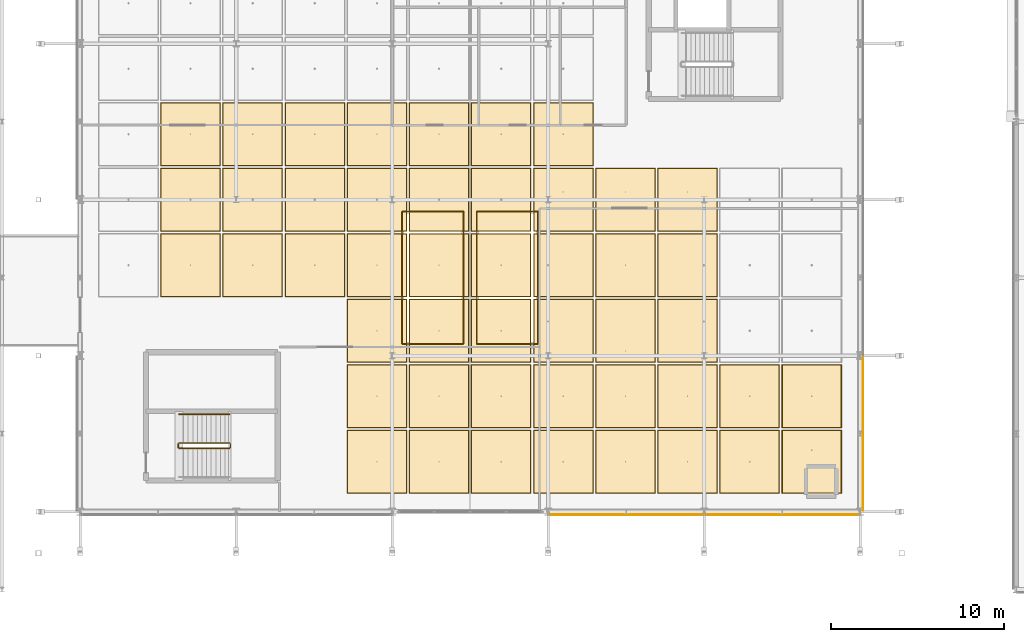
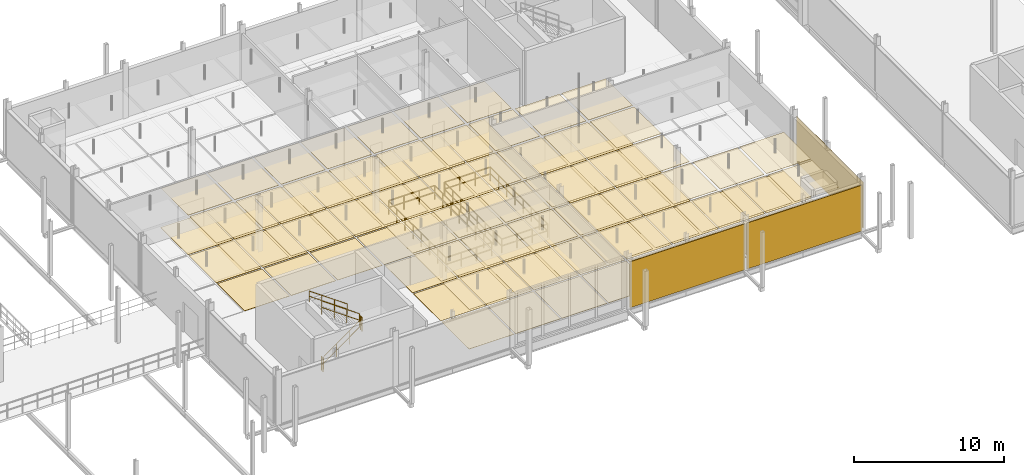
# One storey, part 119 of 130: 97 coverings, 7 railings.
"""IFC4 building model written with IfcOpenShell, lengths in metres."""

import ifcopenshell
import ifcopenshell.guid

model = None  # the IFC model being written
_history = None  # IfcOwnerHistory: only IFC2X3 demands one
_inside = {}  # id of a spatial element -> (the spatial element, [elements in it])
_under = {}  # id of a project, library or spatial element -> (it, [spatial elements below it])
_declared = {}  # id of a project -> (the project, [libraries it declares])
_typed = {}  # id of a type object -> (the type object, [elements of that type])
_made_of = {}  # id of a material, layer set ... -> (it, [elements and type objects made of it])


def new_model(schema):
    """Start an empty IFC model of exactly this schema.

    Asked for "IFC4X3", IfcOpenShell would pick the latest addendum, in which some entities
    have other attributes; the version numbers below select the first issue.
    IFC2X3 requires an IfcOwnerHistory on every rooted entity: one is made here for all.
    """
    global model, _history
    if schema == "IFC4X3":
        model = ifcopenshell.file(schema_version=(4, 3, 0, 0))
    else:
        model = ifcopenshell.file(schema=schema)
    _inside.clear()
    _under.clear()
    _declared.clear()
    _typed.clear()
    _made_of.clear()
    _history = None
    if model.schema == "IFC2X3":
        org = make("IfcOrganization", Name="unknown")
        user = make(
            "IfcPersonAndOrganization",
            ThePerson=make("IfcPerson", FamilyName="unknown"),
            TheOrganization=org,
        )
        app = make(
            "IfcApplication",
            ApplicationDeveloper=org,
            Version="unknown",
            ApplicationFullName="unknown",
            ApplicationIdentifier="unknown",
        )
        _history = make(
            "IfcOwnerHistory",
            OwningUser=user,
            OwningApplication=app,
            ChangeAction="ADDED",
            CreationDate=0,
        )
    return model


def make(cls, **values):
    """One entity of the class cls with the attributes given. An attribute that is None is left unset."""
    return model.create_entity(
        cls, **{name: value for name, value in values.items() if value is not None}
    )


def rooted(cls, **values):
    """An entity with a GlobalId (a new one), such as an element, a storey or a relation."""
    return make(cls, GlobalId=ifcopenshell.guid.new(), OwnerHistory=_history, **values)


def si_unit(unit_type, name, prefix=None):
    """IfcSIUnit, for example si_unit("LENGTHUNIT", "METRE", prefix="MILLI")."""
    return make("IfcSIUnit", UnitType=unit_type, Prefix=prefix, Name=name)


def assignment(units):
    """IfcUnitAssignment: the units of a project."""
    return None if units is None else make("IfcUnitAssignment", Units=units)


def point(xyz):
    """IfcCartesianPoint."""
    return None if xyz is None else make("IfcCartesianPoint", Coordinates=xyz)


def direction(xyz):
    """IfcDirection."""
    return None if xyz is None else make("IfcDirection", DirectionRatios=xyz)


def frame(location, z_axis=None, x_axis=None):
    """IfcAxis2Placement3D, a coordinate frame: its origin and axes. An axis left out is left unset."""
    return make(
        "IfcAxis2Placement3D",
        Location=point(location),
        Axis=direction(z_axis),
        RefDirection=direction(x_axis),
    )


def frame_2d(location, x_axis=None):
    """IfcAxis2Placement2D, a coordinate frame in the plane: its origin and x axis."""
    return make(
        "IfcAxis2Placement2D", Location=point(location), RefDirection=direction(x_axis)
    )


def origin():
    """The frame at (0, 0, 0) with its axes left unset."""
    return frame((0.0, 0.0, 0.0))


def origin_2d():
    """The frame at (0, 0) in the plane with its x axis left unset."""
    return frame_2d((0.0, 0.0))


def place(relative_to, where):
    """IfcLocalPlacement: puts the frame where relative to a parent placement (None: the world)."""
    return make(
        "IfcLocalPlacement", PlacementRelTo=relative_to, RelativePlacement=where
    )


def context(
    kind, dimensions, precision=None, world=None, true_north=None, identifier=None
):
    """IfcGeometricRepresentationContext, for example the 3D "Model" context."""
    return make(
        "IfcGeometricRepresentationContext",
        ContextIdentifier=identifier,
        ContextType=kind,
        CoordinateSpaceDimension=dimensions,
        Precision=precision,
        WorldCoordinateSystem=world,
        TrueNorth=true_north,
    )


def subcontext(parent, identifier, kind, view, scale=None):
    """IfcGeometricRepresentationSubContext, for example "Body" below "Model"."""
    return make(
        "IfcGeometricRepresentationSubContext",
        ContextIdentifier=identifier,
        ContextType=kind,
        ParentContext=parent,
        TargetScale=scale,
        TargetView=view,
    )


def project(units=None, contexts=None):
    """IfcProject with its units and contexts."""
    return rooted(
        "IfcProject",
        Name="project",
        RepresentationContexts=contexts,
        UnitsInContext=assignment(units),
    )


def spatial(cls, under=None, at=None, **own):
    """A site, building, storey or space (cls), placed at a placement, below another one or the project."""
    s = rooted(cls, ObjectPlacement=at, **own)
    if under is not None:
        _under.setdefault(under.id(), (under, []))[1].append(s)
    return s


def profile(cls, at=None, kind="AREA", **sizes):
    """A parametric profile (cls). Its sizes go by their IFC names, for example OverallWidth=200.0."""
    return make(cls, ProfileType=kind, Position=at, **sizes)


def rectangle(**sizes):
    """IfcRectangleProfileDef."""
    return profile("IfcRectangleProfileDef", **sizes)


def circle(**sizes):
    """IfcCircleProfileDef."""
    return profile("IfcCircleProfileDef", **sizes)


def extrude(swept, where, along, depth):
    """IfcExtrudedAreaSolid: the profile swept, set in the frame where, extruded along a direction by depth."""
    return make(
        "IfcExtrudedAreaSolid",
        SweptArea=swept,
        Position=where,
        ExtrudedDirection=direction(along),
        Depth=depth,
    )


def shape(context_of_items, identifier, shape_type, items):
    """IfcShapeRepresentation: the items that make up one representation, for example the "Body"."""
    return make(
        "IfcShapeRepresentation",
        ContextOfItems=context_of_items,
        RepresentationIdentifier=identifier,
        RepresentationType=shape_type,
        Items=items,
    )


def material(Name=None, Category=None):
    """IfcMaterial."""
    return make("IfcMaterial", Name=Name, Category=Category)


def layer(
    of_material, thickness, ventilated=None, Name=None, Category=None, Priority=None
):
    """IfcMaterialLayer: one layer of a wall or slab, of a material (None: an air gap)."""
    return make(
        "IfcMaterialLayer",
        Material=of_material,
        LayerThickness=thickness,
        IsVentilated=ventilated,
        Name=Name,
        Category=Category,
        Priority=Priority,
    )


def layer_set(layers, Name=None):
    """IfcMaterialLayerSet."""
    return make("IfcMaterialLayerSet", MaterialLayers=layers, LayerSetName=Name)


def made_of(thing, what):
    """Note that an element or type object is made of a material, layer set ...; save() writes the relation."""
    if what is not None:
        _made_of.setdefault(what.id(), (what, []))[1].append(thing)
    return thing


def type_object(cls, material=None, **own):
    """A type object (cls), such as IfcWallType, which elements share."""
    return made_of(rooted(cls, **own), material)


def element(
    cls,
    number,
    at=None,
    inside=None,
    cuts=None,
    type_object=None,
    material=None,
    context=None,
    identifier="Body",
    shape_type=None,
    held_by="IfcProductDefinitionShape",
    body=None,
    shapes=None,
    **own,
):
    """One element of the class cls, such as IfcWall. Its Tag is "e" and its number.

    at: its placement. inside: the storey or other place that contains it. cuts: it is an
    opening in that element (IfcRelVoidsElement). A single representation is given by context,
    identifier, shape_type and body (its items); several are given by shapes. held_by: the class
    of the entity that holds the representations. save() writes the other relations.
    """
    e = rooted(cls, Tag="e%d" % number, ObjectPlacement=at, **own)
    if body is not None:
        shapes = [shape(context, identifier, shape_type, body)]
    if shapes is not None:
        e.Representation = make(held_by, Representations=shapes)
    if inside is not None:
        _inside.setdefault(inside.id(), (inside, []))[1].append(e)
    if cuts is not None:
        rooted(
            "IfcRelVoidsElement", RelatingBuildingElement=cuts, RelatedOpeningElement=e
        )
    if type_object is not None:
        _typed.setdefault(type_object.id(), (type_object, []))[1].append(e)
    return made_of(e, material)


def aggregate(whole, parts):
    """IfcRelAggregates: a whole, such as a stair, and the parts it consists of."""
    return rooted("IfcRelAggregates", RelatingObject=whole, RelatedObjects=parts)


def save(model, path):
    """Write the relations noted so far, then the file.

    IfcRelAggregates (storeys below a building ...), IfcRelContainedInSpatialStructure (elements
    in a storey), IfcRelDefinesByType, IfcRelAssociatesMaterial and IfcRelDeclares: one each for
    every whole, place, type object, material and project.
    """
    for whole, parts in _under.values():
        aggregate(whole, parts)
    for where, things in _inside.values():
        rooted(
            "IfcRelContainedInSpatialStructure",
            RelatedElements=things,
            RelatingStructure=where,
        )
    for kind, things in _typed.values():
        rooted("IfcRelDefinesByType", RelatedObjects=things, RelatingType=kind)
    for what, things in _made_of.values():
        rooted("IfcRelAssociatesMaterial", RelatedObjects=things, RelatingMaterial=what)
    for by, libraries in _declared.values():
        rooted("IfcRelDeclares", RelatingContext=by, RelatedDefinitions=libraries)
    model.write(path)


model = new_model("IFC4")

# Units and contexts
model_context = context("Model", 3, precision=1e-05, world=origin(), true_north=direction((0.0, 1.0)))
body_context = subcontext(model_context, "Body", "Model", "MODEL_VIEW")
ifc_project = project(units=[si_unit("LENGTHUNIT", "METRE"), si_unit("AREAUNIT", "SQUARE_METRE"), si_unit("VOLUMEUNIT", "CUBIC_METRE"), si_unit("PLANEANGLEUNIT", "RADIAN"), si_unit("MASSUNIT", "GRAM", prefix="KILO"), si_unit("THERMODYNAMICTEMPERATUREUNIT", "KELVIN"), si_unit("POWERUNIT", "WATT")], contexts=[model_context])

# Site, building, storey
site_placement = place(None, origin())
site = spatial("IfcSite", under=ifc_project, at=site_placement, CompositionType="ELEMENT")
building_placement = place(site_placement, origin())
building = spatial("IfcBuilding", under=site, at=building_placement, Name="Tallowbark Science Centre", CompositionType="ELEMENT")
storey_placement = place(building_placement, frame((0.0, 0.0, 5.39990234375)))
storey = spatial("IfcBuildingStorey", under=building, at=storey_placement, Name="L01", CompositionType="ELEMENT", Elevation=5.39990234375)

# Coverings
ifc_material_1 = material(Name="Perforated Spotted Gum Acoustic Baffle Ceiling", Category="wood")
ifc_layer_1 = layer(ifc_material_1, 0.02490234375)
ifc_layer_set_1 = layer_set([ifc_layer_1], Name="Perforated Spotted Gum Acoustic Baffle Ceiling")
covering_type_1 = type_object("IfcCoveringType", Name="CLG-TIM-25", PredefinedType="CEILING", material=ifc_layer_set_1)
for number, where, z_axis, x_axis, name in (
    (1, (64.875, 18.72216796875, 3.187744140625), (0.0, 0.0, 1.0), (1.0, 0.0, 0.0), "Suspended Ceiling L01-489"),
    (2, (64.875, 22.5, 3.187744140625), (0.0, 0.0, 1.0), (1.0, 0.0, 0.0), "Suspended Ceiling L01-490"),
    (3, (64.875, 26.27783203125, 3.187744140625), (0.0, 0.0, 1.0), (1.0, 0.0, 0.0), "Suspended Ceiling L01-491"),
    (4, (68.458251953125, 18.72216796875, 3.187744140625), (0.0, 0.0, 1.0), (1.0, 0.0, 0.0), "Suspended Ceiling L01-495"),
    (5, (68.458251953125, 22.5, 3.187744140625), (0.0, 0.0, 1.0), (1.0, 0.0, 0.0), "Suspended Ceiling L01-496"),
    (6, (68.458251953125, 26.27783203125, 3.187744140625), (0.0, 0.0, 1.0), (1.0, 0.0, 0.0), "Suspended Ceiling L01-497"),
    (7, (72.041748046875, 18.72216796875, 3.187744140625), (0.0, 0.0, 1.0), (1.0, 0.0, 0.0), "Suspended Ceiling L01-501"),
    (8, (72.041748046875, 22.5, 3.187744140625), (0.0, 0.0, 1.0), (1.0, 0.0, 0.0), "Suspended Ceiling L01-502"),
    (9, (72.041748046875, 26.27783203125, 3.187744140625), (0.0, 0.0, 1.0), (1.0, 0.0, 0.0), "Suspended Ceiling L01-503"),
    (10, (75.625, 7.388916015625, 3.187744140625), (0.0, 0.0, 1.0), (1.0, 0.0, 0.0), "Suspended Ceiling L01-507"),
    (11, (75.625, 11.166748046875, 3.187744140625), (0.0, 0.0, 1.0), (1.0, 0.0, 0.0), "Suspended Ceiling L01-508"),
    (12, (75.625, 14.9443359375, 3.187744140625), (0.0, 0.0, 1.0), (1.0, 0.0, 0.0), "Suspended Ceiling L01-509"),
    (13, (75.625, 18.72216796875, 3.187744140625), (0.0, 0.0, 1.0), (1.0, 0.0, 0.0), "Suspended Ceiling L01-510"),
    (14, (75.625, 22.5, 3.187744140625), (0.0, 0.0, 1.0), (1.0, 0.0, 0.0), "Suspended Ceiling L01-511"),
    (15, (75.625, 26.27783203125, 3.187744140625), (0.0, 0.0, 1.0), (1.0, 0.0, 0.0), "Suspended Ceiling L01-512"),
    (16, (79.208251953125, 7.388916015625, 3.187744140625), (0.0, 0.0, 1.0), (1.0, 0.0, 0.0), "Suspended Ceiling L01-516"),
    (17, (79.208251953125, 11.166748046875, 3.187744140625), (0.0, 0.0, 1.0), (1.0, 0.0, 0.0), "Suspended Ceiling L01-517"),
    (18, (79.208251953125, 14.9443359375, 3.187744140625), (0.0, 0.0, 1.0), (1.0, 0.0, 0.0), "Suspended Ceiling L01-518"),
    (19, (79.208251953125, 18.72216796875, 3.187744140625), (0.0, 0.0, 1.0), (1.0, 0.0, 0.0), "Suspended Ceiling L01-519"),
    (20, (79.208251953125, 22.5, 3.187744140625), (0.0, 0.0, 1.0), (1.0, 0.0, 0.0), "Suspended Ceiling L01-520"),
    (21, (79.208251953125, 26.27783203125, 3.187744140625), (0.0, 0.0, 1.0), (1.0, 0.0, 0.0), "Suspended Ceiling L01-521"),
    (22, (82.791748046875, 7.388916015625, 3.187744140625), (0.0, 0.0, 1.0), (1.0, 0.0, 0.0), "Suspended Ceiling L01-525"),
    (23, (82.791748046875, 11.166748046875, 3.187744140625), (0.0, 0.0, 1.0), (1.0, 0.0, 0.0), "Suspended Ceiling L01-526"),
    (24, (82.791748046875, 14.9443359375, 3.187744140625), (0.0, 0.0, 1.0), (1.0, 0.0, 0.0), "Suspended Ceiling L01-527"),
    (25, (82.791748046875, 18.72216796875, 3.187744140625), (0.0, 0.0, 1.0), (1.0, 0.0, 0.0), "Suspended Ceiling L01-528"),
    (26, (82.791748046875, 22.5, 3.187744140625), (0.0, 0.0, 1.0), (1.0, 0.0, 0.0), "Suspended Ceiling L01-529"),
    (27, (82.791748046875, 26.27783203125, 3.187744140625), (0.0, 0.0, 1.0), (1.0, 0.0, 0.0), "Suspended Ceiling L01-530"),
    (28, (86.375, 7.388916015625, 3.187744140625), (0.0, 0.0, 1.0), (1.0, 0.0, 0.0), "Suspended Ceiling L01-534"),
    (29, (86.375, 11.166748046875, 3.187744140625), (0.0, 0.0, 1.0), (1.0, 0.0, 0.0), "Suspended Ceiling L01-535"),
    (30, (86.375, 14.9443359375, 3.187744140625), (0.0, 0.0, 1.0), (1.0, 0.0, 0.0), "Suspended Ceiling L01-536"),
    (31, (86.375, 18.72216796875, 3.187744140625), (0.0, 0.0, 1.0), (1.0, 0.0, 0.0), "Suspended Ceiling L01-537"),
    (32, (86.375, 22.5, 3.187744140625), (0.0, 0.0, 1.0), (1.0, 0.0, 0.0), "Suspended Ceiling L01-538"),
    (33, (86.375, 26.27783203125, 3.187744140625), (0.0, 0.0, 1.0), (1.0, 0.0, 0.0), "Suspended Ceiling L01-539"),
    (34, (89.958251953125, 7.388916015625, 3.187744140625), (0.0, 0.0, 1.0), (1.0, 0.0, 0.0), "Suspended Ceiling L01-543"),
    (35, (89.958251953125, 11.166748046875, 3.187744140625), (0.0, 0.0, 1.0), (1.0, 0.0, 0.0), "Suspended Ceiling L01-544"),
    (36, (89.958251953125, 14.9443359375, 3.187744140625), (0.0, 0.0, 1.0), (1.0, 0.0, 0.0), "Suspended Ceiling L01-545"),
    (37, (89.958251953125, 18.72216796875, 3.187744140625), (0.0, 0.0, 1.0), (1.0, 0.0, 0.0), "Suspended Ceiling L01-546"),
    (38, (89.958251953125, 22.5, 3.187744140625), (0.0, 0.0, 1.0), (1.0, 0.0, 0.0), "Suspended Ceiling L01-547"),
    (39, (93.541748046875, 7.388916015625, 3.187744140625), (0.0, 0.0, 1.0), (1.0, 0.0, 0.0), "Suspended Ceiling L01-548"),
    (40, (93.541748046875, 11.166748046875, 3.187744140625), (0.0, 0.0, 1.0), (1.0, 0.0, 0.0), "Suspended Ceiling L01-549"),
    (41, (93.541748046875, 14.9443359375, 3.187744140625), (0.0, 0.0, 1.0), (1.0, 0.0, 0.0), "Suspended Ceiling L01-550"),
    (42, (93.541748046875, 18.72216796875, 3.187744140625), (0.0, 0.0, 1.0), (1.0, 0.0, 0.0), "Suspended Ceiling L01-551"),
    (43, (93.541748046875, 22.5, 3.187744140625), (0.0, 0.0, 1.0), (1.0, 0.0, 0.0), "Suspended Ceiling L01-552"),
    (44, (97.125, 7.388916015625, 3.187744140625), (0.0, 0.0, 1.0), (1.0, 0.0, 0.0), "Suspended Ceiling L01-553"),
    (45, (97.125, 11.166748046875, 3.187744140625), (0.0, 0.0, 1.0), (1.0, 0.0, 0.0), "Suspended Ceiling L01-554"),
    (46, (100.708251953125, 7.388916015625, 3.187744140625), (0.0, 0.0, 1.0), (1.0, 0.0, 0.0), "Suspended Ceiling L01-558"),
    (47, (100.708251953125, 11.166748046875, 3.187744140625), (0.0, 0.0, 1.0), (1.0, 0.0, 0.0), "Suspended Ceiling L01-559"),
):
    element("IfcCovering", number, at=place(storey_placement, frame(where, z_axis=z_axis, x_axis=x_axis)), inside=storey, type_object=covering_type_1, Name=name, PredefinedType="CEILING", context=body_context, shape_type="SweptSolid", body=[
        extrude(rectangle(XDim=3.4033203125, YDim=3.597900390625, at=origin_2d()), origin(), (0.0, 0.0, 1.0), 0.02490234375),
    ])
ifc_material_2 = material(Name="Spotted Gum Hardwood Architectural Rainscreen", Category="wood")
ifc_layer_2 = layer(ifc_material_2, 0.0419921875)
ifc_layer_set_2 = layer_set([ifc_layer_2], Name="Spotted Gum Hardwood Architectural Rainscreen")
covering_type_2 = type_object("IfcCoveringType", Name="COV-TIM-CLAD", PredefinedType="CLADDING", material=ifc_layer_set_2)
for number, where, z_axis, x_axis, name in (
    (48, (90.0, 4.33154296875, 0.050048828125), (0.0, 0.0, 1.0), (1.0, 0.0, 0.0), "Architectural Rainscreen CUB-S-L01-3"),
    (49, (99.0, 4.33154296875, 0.050048828125), (0.0, 0.0, 1.0), (1.0, 0.0, 0.0), "Architectural Rainscreen CUB-S-L01-4"),
    (50, (103.66845703125, 9.0, 0.050048828125), (0.0, 0.0, 1.0), (0.0, 1.0, 0.0), "Architectural Rainscreen CUB-E-L01-0"),
):
    element("IfcCovering", number, at=place(storey_placement, frame(where, z_axis=z_axis, x_axis=x_axis)), inside=storey, type_object=covering_type_2, Name=name, PredefinedType="CLADDING", context=body_context, shape_type="SweptSolid", body=[
        extrude(rectangle(XDim=8.8798828125, YDim=0.0419921875, at=origin_2d()), origin(), (0.0, 0.0, 1.0), 3.74609375),
    ])
ifc_material_3 = material(Name="Engineered Blackbutt Gallery Timber Flooring", Category="wood")
ifc_layer_3 = layer(ifc_material_3, 0.02197265625)
ifc_layer_set_3 = layer_set([ifc_layer_3], Name="Engineered Blackbutt Gallery Timber Flooring")
covering_type_3 = type_object("IfcCoveringType", Name="FLR-TIM-22", PredefinedType="FLOORING", material=ifc_layer_set_3)
for number, where, z_axis, x_axis, name in (
    (51, (64.875, 18.72216796875, 0.0), (0.0, 0.0, 1.0), (1.0, 0.0, 0.0), "Floor Finish L01-489"),
    (52, (64.875, 22.5, 0.0), (0.0, 0.0, 1.0), (1.0, 0.0, 0.0), "Floor Finish L01-490"),
    (53, (64.875, 26.27783203125, 0.0), (0.0, 0.0, 1.0), (1.0, 0.0, 0.0), "Floor Finish L01-491"),
    (54, (68.458251953125, 18.72216796875, 0.0), (0.0, 0.0, 1.0), (1.0, 0.0, 0.0), "Floor Finish L01-495"),
    (55, (68.458251953125, 22.5, 0.0), (0.0, 0.0, 1.0), (1.0, 0.0, 0.0), "Floor Finish L01-496"),
    (56, (68.458251953125, 26.27783203125, 0.0), (0.0, 0.0, 1.0), (1.0, 0.0, 0.0), "Floor Finish L01-497"),
    (57, (72.041748046875, 18.72216796875, 0.0), (0.0, 0.0, 1.0), (1.0, 0.0, 0.0), "Floor Finish L01-501"),
    (58, (72.041748046875, 22.5, 0.0), (0.0, 0.0, 1.0), (1.0, 0.0, 0.0), "Floor Finish L01-502"),
    (59, (72.041748046875, 26.27783203125, 0.0), (0.0, 0.0, 1.0), (1.0, 0.0, 0.0), "Floor Finish L01-503"),
    (60, (75.625, 7.388916015625, 0.0), (0.0, 0.0, 1.0), (1.0, 0.0, 0.0), "Floor Finish L01-507"),
    (61, (75.625, 11.166748046875, 0.0), (0.0, 0.0, 1.0), (1.0, 0.0, 0.0), "Floor Finish L01-508"),
    (62, (75.625, 14.9443359375, 0.0), (0.0, 0.0, 1.0), (1.0, 0.0, 0.0), "Floor Finish L01-509"),
    (63, (75.625, 18.72216796875, 0.0), (0.0, 0.0, 1.0), (1.0, 0.0, 0.0), "Floor Finish L01-510"),
    (64, (75.625, 22.5, 0.0), (0.0, 0.0, 1.0), (1.0, 0.0, 0.0), "Floor Finish L01-511"),
    (65, (75.625, 26.27783203125, 0.0), (0.0, 0.0, 1.0), (1.0, 0.0, 0.0), "Floor Finish L01-512"),
    (66, (79.208251953125, 7.388916015625, 0.0), (0.0, 0.0, 1.0), (1.0, 0.0, 0.0), "Floor Finish L01-516"),
    (67, (79.208251953125, 11.166748046875, 0.0), (0.0, 0.0, 1.0), (1.0, 0.0, 0.0), "Floor Finish L01-517"),
    (68, (79.208251953125, 14.9443359375, 0.0), (0.0, 0.0, 1.0), (1.0, 0.0, 0.0), "Floor Finish L01-518"),
    (69, (79.208251953125, 18.72216796875, 0.0), (0.0, 0.0, 1.0), (1.0, 0.0, 0.0), "Floor Finish L01-519"),
    (70, (79.208251953125, 22.5, 0.0), (0.0, 0.0, 1.0), (1.0, 0.0, 0.0), "Floor Finish L01-520"),
    (71, (79.208251953125, 26.27783203125, 0.0), (0.0, 0.0, 1.0), (1.0, 0.0, 0.0), "Floor Finish L01-521"),
    (72, (82.791748046875, 7.388916015625, 0.0), (0.0, 0.0, 1.0), (1.0, 0.0, 0.0), "Floor Finish L01-525"),
    (73, (82.791748046875, 11.166748046875, 0.0), (0.0, 0.0, 1.0), (1.0, 0.0, 0.0), "Floor Finish L01-526"),
    (74, (82.791748046875, 14.9443359375, 0.0), (0.0, 0.0, 1.0), (1.0, 0.0, 0.0), "Floor Finish L01-527"),
    (75, (82.791748046875, 18.72216796875, 0.0), (0.0, 0.0, 1.0), (1.0, 0.0, 0.0), "Floor Finish L01-528"),
    (76, (82.791748046875, 22.5, 0.0), (0.0, 0.0, 1.0), (1.0, 0.0, 0.0), "Floor Finish L01-529"),
    (77, (82.791748046875, 26.27783203125, 0.0), (0.0, 0.0, 1.0), (1.0, 0.0, 0.0), "Floor Finish L01-530"),
    (78, (86.375, 7.388916015625, 0.0), (0.0, 0.0, 1.0), (1.0, 0.0, 0.0), "Floor Finish L01-534"),
    (79, (86.375, 11.166748046875, 0.0), (0.0, 0.0, 1.0), (1.0, 0.0, 0.0), "Floor Finish L01-535"),
    (80, (86.375, 14.9443359375, 0.0), (0.0, 0.0, 1.0), (1.0, 0.0, 0.0), "Floor Finish L01-536"),
    (81, (86.375, 18.72216796875, 0.0), (0.0, 0.0, 1.0), (1.0, 0.0, 0.0), "Floor Finish L01-537"),
    (82, (86.375, 22.5, 0.0), (0.0, 0.0, 1.0), (1.0, 0.0, 0.0), "Floor Finish L01-538"),
    (83, (86.375, 26.27783203125, 0.0), (0.0, 0.0, 1.0), (1.0, 0.0, 0.0), "Floor Finish L01-539"),
    (84, (89.958251953125, 7.388916015625, 0.0), (0.0, 0.0, 1.0), (1.0, 0.0, 0.0), "Floor Finish L01-543"),
    (85, (89.958251953125, 11.166748046875, 0.0), (0.0, 0.0, 1.0), (1.0, 0.0, 0.0), "Floor Finish L01-544"),
    (86, (89.958251953125, 14.9443359375, 0.0), (0.0, 0.0, 1.0), (1.0, 0.0, 0.0), "Floor Finish L01-545"),
    (87, (89.958251953125, 18.72216796875, 0.0), (0.0, 0.0, 1.0), (1.0, 0.0, 0.0), "Floor Finish L01-546"),
    (88, (89.958251953125, 22.5, 0.0), (0.0, 0.0, 1.0), (1.0, 0.0, 0.0), "Floor Finish L01-547"),
    (89, (93.541748046875, 7.388916015625, 0.0), (0.0, 0.0, 1.0), (1.0, 0.0, 0.0), "Floor Finish L01-548"),
    (90, (93.541748046875, 11.166748046875, 0.0), (0.0, 0.0, 1.0), (1.0, 0.0, 0.0), "Floor Finish L01-549"),
    (91, (93.541748046875, 14.9443359375, 0.0), (0.0, 0.0, 1.0), (1.0, 0.0, 0.0), "Floor Finish L01-550"),
    (92, (93.541748046875, 18.72216796875, 0.0), (0.0, 0.0, 1.0), (1.0, 0.0, 0.0), "Floor Finish L01-551"),
    (93, (93.541748046875, 22.5, 0.0), (0.0, 0.0, 1.0), (1.0, 0.0, 0.0), "Floor Finish L01-552"),
    (94, (97.125, 7.388916015625, 0.0), (0.0, 0.0, 1.0), (1.0, 0.0, 0.0), "Floor Finish L01-553"),
    (95, (97.125, 11.166748046875, 0.0), (0.0, 0.0, 1.0), (1.0, 0.0, 0.0), "Floor Finish L01-554"),
    (96, (100.708251953125, 7.388916015625, 0.0), (0.0, 0.0, 1.0), (1.0, 0.0, 0.0), "Floor Finish L01-558"),
    (97, (100.708251953125, 11.166748046875, 0.0), (0.0, 0.0, 1.0), (1.0, 0.0, 0.0), "Floor Finish L01-559"),
):
    element("IfcCovering", number, at=place(storey_placement, frame(where, z_axis=z_axis, x_axis=x_axis)), inside=storey, type_object=covering_type_3, Name=name, PredefinedType="FLOORING", context=body_context, shape_type="SweptSolid", body=[
        extrude(rectangle(XDim=3.46337890625, YDim=3.65771484375, at=origin_2d()), origin(), (0.0, 0.0, 1.0), 0.02197265625),
    ])

# Railings
ifc_material_4 = material(Name="Galvanised Painted Steel and Laminated Glass Balustrade", Category="steel")
ifc_layer_4 = layer(ifc_material_4, 0.070068359375)
ifc_layer_set_4 = layer_set([ifc_layer_4], Name="Galvanised Painted Steel and Laminated Glass Balustrade")
railing_type_1 = type_object("IfcRailingType", Name="RLG-BAL-1150", PredefinedType="BALUSTRADE", material=ifc_layer_set_4)
railing_1_placement = place(storey_placement, frame((77.080078125, 14.179931640625, 0.0)))
element("IfcRailing", 98, at=railing_1_placement, inside=storey, type_object=railing_type_1, Name="Guardrail GD-ATR-L01W", PredefinedType="BALUSTRADE", context=body_context, shape_type="SweptSolid", body=[
    extrude(circle(Radius=0.02392578125, at=origin_2d()), frame((0.0, 0.0, 1.1259765625), z_axis=(1.0, 0.0, 0.0), x_axis=(0.0, 1.0, 0.0)), (0.0, 0.0, 1.0), 3.5400390625),
    extrude(circle(Radius=0.02392578125, at=origin_2d()), frame((0.0, 0.0, 0.574951171875), z_axis=(1.0, 0.0, 0.0), x_axis=(0.0, 1.0, 0.0)), (0.0, 0.0, 1.0), 3.5400390625),
    extrude(circle(Radius=0.02392578125, at=origin_2d()), frame((3.5400390625, 0.0, 1.1259765625), z_axis=(0.0, 1.0, 0.0), x_axis=(-1.0, 0.0, 0.0)), (0.0, 0.0, 1.0), 7.64013671875),
    extrude(circle(Radius=0.02392578125, at=origin_2d()), frame((3.5400390625, 0.0, 0.574951171875), z_axis=(0.0, 1.0, 0.0), x_axis=(-1.0, 0.0, 0.0)), (0.0, 0.0, 1.0), 7.64013671875),
    extrude(circle(Radius=0.02392578125, at=origin_2d()), frame((3.5400390625, 7.64013671875, 1.1259765625), z_axis=(-1.0, 0.0, 0.0), x_axis=(0.0, -1.0, 0.0)), (0.0, 0.0, 1.0), 3.5400390625),
    extrude(circle(Radius=0.02392578125, at=origin_2d()), frame((3.5400390625, 7.64013671875, 0.574951171875), z_axis=(-1.0, 0.0, 0.0), x_axis=(0.0, -1.0, 0.0)), (0.0, 0.0, 1.0), 3.5400390625),
    extrude(circle(Radius=0.02392578125, at=origin_2d()), frame((0.0, 7.64013671875, 1.1259765625), z_axis=(0.0, -1.0, 0.0), x_axis=(1.0, 0.0, 0.0)), (0.0, 0.0, 1.0), 7.64013671875),
    extrude(circle(Radius=0.02392578125, at=origin_2d()), frame((0.0, 7.64013671875, 0.574951171875), z_axis=(0.0, -1.0, 0.0), x_axis=(1.0, 0.0, 0.0)), (0.0, 0.0, 1.0), 7.64013671875),
    extrude(circle(Radius=0.02099609375, at=origin_2d()), origin(), (0.0, 0.0, 1.0), 1.101806640625),
    extrude(circle(Radius=0.02099609375, at=origin_2d()), frame((1.179931640625, 0.0, 0.0)), (0.0, 0.0, 1.0), 1.101806640625),
    extrude(circle(Radius=0.02099609375, at=origin_2d()), frame((2.360107421875, 0.0, 0.0)), (0.0, 0.0, 1.0), 1.101806640625),
    extrude(circle(Radius=0.02099609375, at=origin_2d()), frame((3.5400390625, 0.0, 0.0)), (0.0, 0.0, 1.0), 1.101806640625),
    extrude(circle(Radius=0.02099609375, at=origin_2d()), frame((3.5400390625, 1.091552734375, 0.0)), (0.0, 0.0, 1.0), 1.101806640625),
    extrude(circle(Radius=0.02099609375, at=origin_2d()), frame((3.5400390625, 2.182861328125, 0.0)), (0.0, 0.0, 1.0), 1.101806640625),
    extrude(circle(Radius=0.02099609375, at=origin_2d()), frame((3.5400390625, 3.2744140625, 0.0)), (0.0, 0.0, 1.0), 1.101806640625),
    extrude(circle(Radius=0.02099609375, at=origin_2d()), frame((3.5400390625, 4.36572265625, 0.0)), (0.0, 0.0, 1.0), 1.101806640625),
    extrude(circle(Radius=0.02099609375, at=origin_2d()), frame((3.5400390625, 5.457275390625, 0.0)), (0.0, 0.0, 1.0), 1.101806640625),
    extrude(circle(Radius=0.02099609375, at=origin_2d()), frame((3.5400390625, 6.548583984375, 0.0)), (0.0, 0.0, 1.0), 1.101806640625),
    extrude(circle(Radius=0.02099609375, at=origin_2d()), frame((3.5400390625, 7.64013671875, 0.0)), (0.0, 0.0, 1.0), 1.101806640625),
    extrude(circle(Radius=0.02099609375, at=origin_2d()), frame((2.360107421875, 7.64013671875, 0.0)), (0.0, 0.0, 1.0), 1.101806640625),
    extrude(circle(Radius=0.02099609375, at=origin_2d()), frame((1.179931640625, 7.64013671875, 0.0)), (0.0, 0.0, 1.0), 1.101806640625),
    extrude(circle(Radius=0.02099609375, at=origin_2d()), frame((0.0, 7.64013671875, 0.0)), (0.0, 0.0, 1.0), 1.101806640625),
    extrude(circle(Radius=0.02099609375, at=origin_2d()), frame((0.0, 6.548583984375, 0.0)), (0.0, 0.0, 1.0), 1.101806640625),
    extrude(circle(Radius=0.02099609375, at=origin_2d()), frame((0.0, 5.457275390625, 0.0)), (0.0, 0.0, 1.0), 1.101806640625),
    extrude(circle(Radius=0.02099609375, at=origin_2d()), frame((0.0, 4.36572265625, 0.0)), (0.0, 0.0, 1.0), 1.101806640625),
    extrude(circle(Radius=0.02099609375, at=origin_2d()), frame((0.0, 3.2744140625, 0.0)), (0.0, 0.0, 1.0), 1.101806640625),
    extrude(circle(Radius=0.02099609375, at=origin_2d()), frame((0.0, 2.182861328125, 0.0)), (0.0, 0.0, 1.0), 1.101806640625),
    extrude(circle(Radius=0.02099609375, at=origin_2d()), frame((0.0, 1.091552734375, 0.0)), (0.0, 0.0, 1.0), 1.101806640625),
])
railing_2_placement = place(storey_placement, frame((81.3798828125, 14.179931640625, 0.0)))
element("IfcRailing", 99, at=railing_2_placement, inside=storey, type_object=railing_type_1, Name="Guardrail GD-ATR-L01E", PredefinedType="BALUSTRADE", context=body_context, shape_type="SweptSolid", body=[
    extrude(circle(Radius=0.02392578125, at=origin_2d()), frame((0.0, 0.0, 1.1259765625), z_axis=(1.0, 0.0, 0.0), x_axis=(0.0, 1.0, 0.0)), (0.0, 0.0, 1.0), 3.5400390625),
    extrude(circle(Radius=0.02392578125, at=origin_2d()), frame((0.0, 0.0, 0.574951171875), z_axis=(1.0, 0.0, 0.0), x_axis=(0.0, 1.0, 0.0)), (0.0, 0.0, 1.0), 3.5400390625),
    extrude(circle(Radius=0.02392578125, at=origin_2d()), frame((3.5400390625, 0.0, 1.1259765625), z_axis=(0.0, 1.0, 0.0), x_axis=(-1.0, 0.0, 0.0)), (0.0, 0.0, 1.0), 7.64013671875),
    extrude(circle(Radius=0.02392578125, at=origin_2d()), frame((3.5400390625, 0.0, 0.574951171875), z_axis=(0.0, 1.0, 0.0), x_axis=(-1.0, 0.0, 0.0)), (0.0, 0.0, 1.0), 7.64013671875),
    extrude(circle(Radius=0.02392578125, at=origin_2d()), frame((3.5400390625, 7.64013671875, 1.1259765625), z_axis=(-1.0, 0.0, 0.0), x_axis=(0.0, -1.0, 0.0)), (0.0, 0.0, 1.0), 3.5400390625),
    extrude(circle(Radius=0.02392578125, at=origin_2d()), frame((3.5400390625, 7.64013671875, 0.574951171875), z_axis=(-1.0, 0.0, 0.0), x_axis=(0.0, -1.0, 0.0)), (0.0, 0.0, 1.0), 3.5400390625),
    extrude(circle(Radius=0.02392578125, at=origin_2d()), frame((0.0, 7.64013671875, 1.1259765625), z_axis=(0.0, -1.0, 0.0), x_axis=(1.0, 0.0, 0.0)), (0.0, 0.0, 1.0), 7.64013671875),
    extrude(circle(Radius=0.02392578125, at=origin_2d()), frame((0.0, 7.64013671875, 0.574951171875), z_axis=(0.0, -1.0, 0.0), x_axis=(1.0, 0.0, 0.0)), (0.0, 0.0, 1.0), 7.64013671875),
    extrude(circle(Radius=0.02099609375, at=origin_2d()), origin(), (0.0, 0.0, 1.0), 1.101806640625),
    extrude(circle(Radius=0.02099609375, at=origin_2d()), frame((1.179931640625, 0.0, 0.0)), (0.0, 0.0, 1.0), 1.101806640625),
    extrude(circle(Radius=0.02099609375, at=origin_2d()), frame((2.360107421875, 0.0, 0.0)), (0.0, 0.0, 1.0), 1.101806640625),
    extrude(circle(Radius=0.02099609375, at=origin_2d()), frame((3.5400390625, 0.0, 0.0)), (0.0, 0.0, 1.0), 1.101806640625),
    extrude(circle(Radius=0.02099609375, at=origin_2d()), frame((3.5400390625, 1.091552734375, 0.0)), (0.0, 0.0, 1.0), 1.101806640625),
    extrude(circle(Radius=0.02099609375, at=origin_2d()), frame((3.5400390625, 2.182861328125, 0.0)), (0.0, 0.0, 1.0), 1.101806640625),
    extrude(circle(Radius=0.02099609375, at=origin_2d()), frame((3.5400390625, 3.2744140625, 0.0)), (0.0, 0.0, 1.0), 1.101806640625),
    extrude(circle(Radius=0.02099609375, at=origin_2d()), frame((3.5400390625, 4.36572265625, 0.0)), (0.0, 0.0, 1.0), 1.101806640625),
    extrude(circle(Radius=0.02099609375, at=origin_2d()), frame((3.5400390625, 5.457275390625, 0.0)), (0.0, 0.0, 1.0), 1.101806640625),
    extrude(circle(Radius=0.02099609375, at=origin_2d()), frame((3.5400390625, 6.548583984375, 0.0)), (0.0, 0.0, 1.0), 1.101806640625),
    extrude(circle(Radius=0.02099609375, at=origin_2d()), frame((3.5400390625, 7.64013671875, 0.0)), (0.0, 0.0, 1.0), 1.101806640625),
    extrude(circle(Radius=0.02099609375, at=origin_2d()), frame((2.360107421875, 7.64013671875, 0.0)), (0.0, 0.0, 1.0), 1.101806640625),
    extrude(circle(Radius=0.02099609375, at=origin_2d()), frame((1.179931640625, 7.64013671875, 0.0)), (0.0, 0.0, 1.0), 1.101806640625),
    extrude(circle(Radius=0.02099609375, at=origin_2d()), frame((0.0, 7.64013671875, 0.0)), (0.0, 0.0, 1.0), 1.101806640625),
    extrude(circle(Radius=0.02099609375, at=origin_2d()), frame((0.0, 6.548583984375, 0.0)), (0.0, 0.0, 1.0), 1.101806640625),
    extrude(circle(Radius=0.02099609375, at=origin_2d()), frame((0.0, 5.457275390625, 0.0)), (0.0, 0.0, 1.0), 1.101806640625),
    extrude(circle(Radius=0.02099609375, at=origin_2d()), frame((0.0, 4.36572265625, 0.0)), (0.0, 0.0, 1.0), 1.101806640625),
    extrude(circle(Radius=0.02099609375, at=origin_2d()), frame((0.0, 3.2744140625, 0.0)), (0.0, 0.0, 1.0), 1.101806640625),
    extrude(circle(Radius=0.02099609375, at=origin_2d()), frame((0.0, 2.182861328125, 0.0)), (0.0, 0.0, 1.0), 1.101806640625),
    extrude(circle(Radius=0.02099609375, at=origin_2d()), frame((0.0, 1.091552734375, 0.0)), (0.0, 0.0, 1.0), 1.101806640625),
])
railing_3_placement = place(storey_placement, frame((64.2099609375, 8.159912109375, 0.1875)))
element("IfcRailing", 100, at=railing_3_placement, inside=storey, type_object=railing_type_1, Name="L01 ST-07 stair guard 1", PredefinedType="BALUSTRADE", context=body_context, shape_type="SweptSolid", body=[
    extrude(circle(Radius=0.02392578125, at=origin_2d()), frame((0.0, 0.0, 1.076171875), z_axis=(0.816330724661, 0.0, 0.577584753931), x_axis=(0.0, 1.0, 0.0)), (0.0, 0.0, 1.0), 3.57080078125),
    extrude(circle(Radius=0.02392578125, at=origin_2d()), frame((0.0, 0.0, 0.550048828125), z_axis=(0.816330724661, 0.0, 0.577584753931), x_axis=(0.0, 1.0, 0.0)), (0.0, 0.0, 1.0), 3.57080078125),
    extrude(circle(Radius=0.02099609375, at=origin_2d()), origin(), (0.0, 0.0, 1.0), 1.052001953125),
    extrude(circle(Radius=0.02099609375, at=origin_2d()), frame((0.9716796875, 0.0, 0.6875)), (0.0, 0.0, 1.0), 1.052001953125),
    extrude(circle(Radius=0.02099609375, at=origin_2d()), frame((1.943359375, 0.0, 1.375)), (0.0, 0.0, 1.0), 1.052001953125),
    extrude(circle(Radius=0.02099609375, at=origin_2d()), frame((2.9150390625, 0.0, 2.0625)), (0.0, 0.0, 1.0), 1.052001953125),
])
railing_4_placement = place(storey_placement, frame((67.175048828125, 8.2099609375, 2.25)))
element("IfcRailing", 101, at=railing_4_placement, inside=storey, type_object=railing_type_1, Name="L01 ST-07 stair guard 2", PredefinedType="BALUSTRADE", context=body_context, shape_type="SweptSolid", body=[
    extrude(circle(Radius=0.02392578125, at=origin_2d()), frame((0.0, 0.0, 1.076171875), z_axis=(0.0, 1.0, 0.0), x_axis=(-1.0, 0.0, 0.0)), (0.0, 0.0, 1.0), 0.199951171875),
    extrude(circle(Radius=0.02392578125, at=origin_2d()), frame((0.0, 0.0, 0.550048828125), z_axis=(0.0, 1.0, 0.0), x_axis=(-1.0, 0.0, 0.0)), (0.0, 0.0, 1.0), 0.199951171875),
    extrude(circle(Radius=0.02099609375, at=origin_2d()), origin(), (0.0, 0.0, 1.0), 1.052001953125),
    extrude(circle(Radius=0.02099609375, at=origin_2d()), frame((0.0, 0.199951171875, 0.0)), (0.0, 0.0, 1.0), 1.052001953125),
])
railing_5_placement = place(storey_placement, frame((67.125, 8.4599609375, 2.4375)))
element("IfcRailing", 102, at=railing_5_placement, inside=storey, type_object=railing_type_1, Name="L01 ST-07 stair guard 3", PredefinedType="BALUSTRADE", context=body_context, shape_type="SweptSolid", body=[
    extrude(circle(Radius=0.02392578125, at=origin_2d()), frame((0.0, 0.0, 1.076171875), z_axis=(-0.816330724661, 0.0, 0.577584753931), x_axis=(0.0, -1.0, 0.0)), (0.0, 0.0, 1.0), 3.57080078125),
    extrude(circle(Radius=0.02392578125, at=origin_2d()), frame((0.0, 0.0, 0.550048828125), z_axis=(-0.816330724661, 0.0, 0.577584753931), x_axis=(0.0, -1.0, 0.0)), (0.0, 0.0, 1.0), 3.57080078125),
    extrude(circle(Radius=0.02099609375, at=origin_2d()), origin(), (0.0, 0.0, 1.0), 1.052001953125),
    extrude(circle(Radius=0.02099609375, at=origin_2d()), frame((-0.9716796875, 0.0, 0.6875)), (0.0, 0.0, 1.0), 1.052001953125),
    extrude(circle(Radius=0.02099609375, at=origin_2d()), frame((-1.943359375, 0.0, 1.375)), (0.0, 0.0, 1.0), 1.052001953125),
    extrude(circle(Radius=0.02099609375, at=origin_2d()), frame((-2.9150390625, 0.0, 2.0625)), (0.0, 0.0, 1.0), 1.052001953125),
])
railing_6_placement = place(storey_placement, frame((64.159912109375, 8.2099609375, 0.0)))
element("IfcRailing", 103, at=railing_6_placement, inside=storey, type_object=railing_type_1, Name="L01 ST-07 stair guard 4", PredefinedType="BALUSTRADE", context=body_context, shape_type="SweptSolid", body=[
    extrude(circle(Radius=0.02392578125, at=origin_2d()), frame((0.0, 0.0, 1.076171875), z_axis=(0.0, 1.0, 0.0), x_axis=(-1.0, 0.0, 0.0)), (0.0, 0.0, 1.0), 0.199951171875),
    extrude(circle(Radius=0.02392578125, at=origin_2d()), frame((0.0, 0.0, 0.550048828125), z_axis=(0.0, 1.0, 0.0), x_axis=(-1.0, 0.0, 0.0)), (0.0, 0.0, 1.0), 0.199951171875),
    extrude(circle(Radius=0.02099609375, at=origin_2d()), origin(), (0.0, 0.0, 1.0), 1.052001953125),
    extrude(circle(Radius=0.02099609375, at=origin_2d()), frame((0.0, 0.199951171875, 0.0)), (0.0, 0.0, 1.0), 1.052001953125),
])
ifc_material_5 = material(Name="Brushed Grade 316 Stainless Steel Handrail", Category="steel")
ifc_layer_5 = layer(ifc_material_5, 0.050048828125)
ifc_layer_set_5 = layer_set([ifc_layer_5], Name="Brushed Grade 316 Stainless Steel Handrail")
railing_type_2 = type_object("IfcRailingType", Name="RLG-HDR-950", PredefinedType="HANDRAIL", material=ifc_layer_set_5)
railing_7_placement = place(storey_placement, frame((67.125, 10.1201171875, 2.4375)))
element("IfcRailing", 104, at=railing_7_placement, inside=storey, type_object=railing_type_2, Name="L01 ST-07 stair handrail 2", PredefinedType="HANDRAIL", context=body_context, shape_type="SweptSolid", body=[
    extrude(circle(Radius=0.02392578125, at=origin_2d()), frame((0.0, 0.0, 0.8759765625), z_axis=(-0.816330724661, 0.0, 0.577584753931), x_axis=(0.0, -1.0, 0.0)), (0.0, 0.0, 1.0), 3.57080078125),
    extrude(circle(Radius=0.02392578125, at=origin_2d()), frame((0.0, 0.0, 0.449951171875), z_axis=(-0.816330724661, 0.0, 0.577584753931), x_axis=(0.0, -1.0, 0.0)), (0.0, 0.0, 1.0), 3.57080078125),
    extrude(circle(Radius=0.02099609375, at=origin_2d()), origin(), (0.0, 0.0, 1.0), 0.851806640625),
    extrude(circle(Radius=0.02099609375, at=origin_2d()), frame((-0.9716796875, 0.0, 0.6875)), (0.0, 0.0, 1.0), 0.851806640625),
    extrude(circle(Radius=0.02099609375, at=origin_2d()), frame((-1.943359375, 0.0, 1.375)), (0.0, 0.0, 1.0), 0.851806640625),
    extrude(circle(Radius=0.02099609375, at=origin_2d()), frame((-2.9150390625, 0.0, 2.0625)), (0.0, 0.0, 1.0), 0.851806640625),
])

save(model, "model.ifc")
